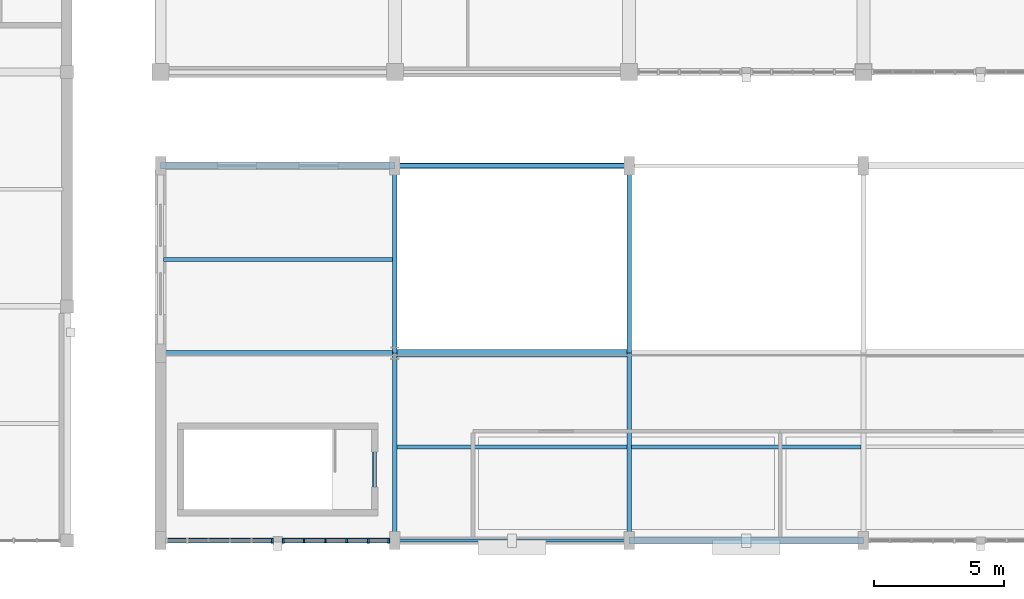
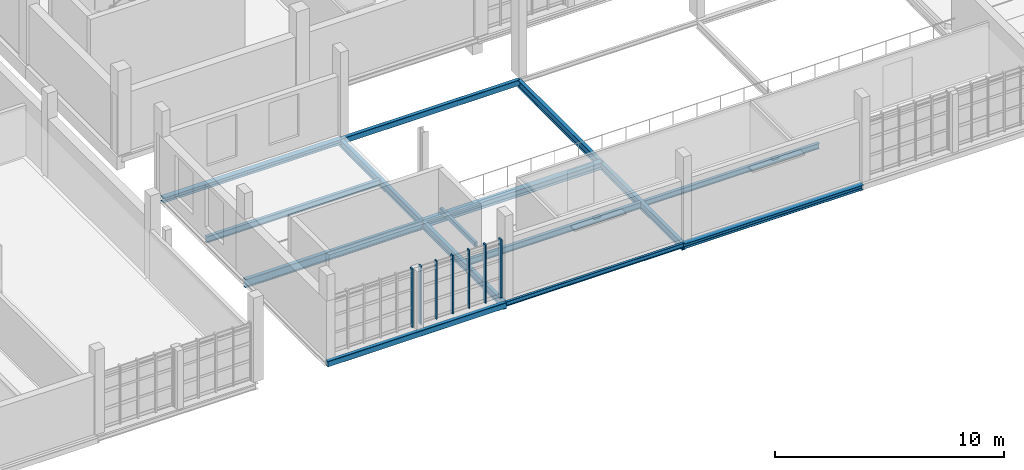
# One storey, part 17 of 125: 15 beams, 7 members, 2 elements without a shape of their own.
"""IFC4 building model written with IfcOpenShell, lengths in metres."""

from ifc_helpers import new_model, si_unit, direction, frame, origin, origin_2d, place, context, subcontext, project, spatial, rectangle, hollow_rectangle, i_section, extrude, material, material_profile, profile_set, type_object, element, aggregate, save


model = new_model("IFC4")

# Units and contexts
model_context = context("Model", 3, precision=1e-05, world=origin(), true_north=direction((0.0, 1.0)))
body_context = subcontext(model_context, "Body", "Model", "MODEL_VIEW")
ifc_project = project(units=[si_unit("LENGTHUNIT", "METRE"), si_unit("AREAUNIT", "SQUARE_METRE"), si_unit("VOLUMEUNIT", "CUBIC_METRE"), si_unit("PLANEANGLEUNIT", "RADIAN"), si_unit("MASSUNIT", "GRAM", prefix="KILO")], contexts=[model_context])

# Site, building, storey
site_placement = place(None, origin())
site = spatial("IfcSite", under=ifc_project, at=site_placement, CompositionType="ELEMENT")
building_placement = place(site_placement, origin())
building = spatial("IfcBuilding", under=site, at=building_placement, Name="Serraforn Aerial Cableway Station", CompositionType="ELEMENT")
storey_placement = place(building_placement, frame((0.0, 0.0, 4.5)))
storey = spatial("IfcBuildingStorey", under=building, at=storey_placement, Name="L01", CompositionType="ELEMENT", Elevation=4.5)

# Beams
ifc_material_1 = material(Name="Steel S355J2", Category="steel")
ifc_material_profile_1 = material_profile(ifc_material_1, i_section(OverallWidth=0.260009765625, OverallDepth=0.260009765625, WebThickness=0.010009765625, FlangeThickness=0.017578125, FilletRadius=0.02392578125, at=origin_2d()), Name="HEB 260")
ifc_profile_set_1 = profile_set([ifc_material_profile_1], Name="Steel S355J2")
beam_type_1 = type_object("IfcBeamType", Name="BM-ST-HEB260", PredefinedType="BEAM", material=ifc_profile_set_1)
for number, where, z_axis, x_axis, name in (
    (1, (45.60009765625, 0.0, -0.449951171875), (1.0, 0.0, 0.0), (0.0, 1.0, 0.0), "Grid Girder X CF L01 Y1-3"),
    (2, (27.60009765625, 14.39990234375, -0.449951171875), (1.0, 0.0, 0.0), (0.0, 1.0, 0.0), "Grid Girder X CF L01 Y3-1"),
):
    element("IfcBeam", number, at=place(storey_placement, frame(where, z_axis=z_axis, x_axis=x_axis)), inside=storey, type_object=beam_type_1, Name=name, PredefinedType="BEAM", context=body_context, shape_type="SweptSolid", body=[
        extrude(i_section(OverallWidth=0.260009765625, OverallDepth=0.260009765625, WebThickness=0.010009765625, FlangeThickness=0.017578125, FilletRadius=0.02392578125, at=origin_2d()), origin(), (0.0, 0.0, 1.0), 9.0),
    ])
ifc_material_profile_2 = material_profile(ifc_material_1, i_section(OverallWidth=0.300048828125, OverallDepth=0.360107421875, WebThickness=0.012451171875, FlangeThickness=0.0224609375, FilletRadius=0.027099609375, at=origin_2d()), Name="HEB 360")
ifc_profile_set_2 = profile_set([ifc_material_profile_2], Name="Steel S355J2")
beam_type_2 = type_object("IfcBeamType", Name="BM-ST-HEB360", PredefinedType="USERDEFINED", material=ifc_profile_set_2)
beam_1_placement = place(storey_placement, frame((36.60009765625, 7.199951171875, -0.5), z_axis=(1.0, 0.0, 0.0), x_axis=(0.0, 1.0, 0.0)))
element("IfcBeam", 3, at=beam_1_placement, inside=storey, type_object=beam_type_2, Name="Grid Girder X CF L01 Y2-2", ObjectType="GIRDER", PredefinedType="USERDEFINED", context=body_context, shape_type="SweptSolid", body=[
    extrude(i_section(OverallWidth=0.300048828125, OverallDepth=0.360107421875, WebThickness=0.012451171875, FlangeThickness=0.0224609375, FilletRadius=0.027099609375, at=origin_2d()), origin(), (0.0, 0.0, 1.0), 9.0),
])
ifc_material_2 = material(Name="Steel S355JR", Category="steel")
ifc_material_profile_3 = material_profile(ifc_material_2, i_section(OverallWidth=0.1201171875, OverallDepth=0.239990234375, WebThickness=0.006103515625, FlangeThickness=0.009765625, FilletRadius=0.014892578125, at=origin_2d()), Name="IPE 240")
ifc_profile_set_3 = profile_set([ifc_material_profile_3], Name="Steel S355JR")
beam_type_3 = type_object("IfcBeamType", Name="BM-ST-IPE240", PredefinedType="SPANDREL", material=ifc_profile_set_3)
beam_2_placement = place(storey_placement, frame((36.60009765625, 0.0, -0.43994140625), z_axis=(1.0, 0.0, 0.0), x_axis=(0.0, 1.0, 0.0)))
element("IfcBeam", 4, at=beam_2_placement, inside=storey, type_object=beam_type_3, Name="Grid Girder X CF L01 Y1-2", PredefinedType="SPANDREL", context=body_context, shape_type="SweptSolid", body=[
    extrude(i_section(OverallWidth=0.1201171875, OverallDepth=0.239990234375, WebThickness=0.006103515625, FlangeThickness=0.009765625, FilletRadius=0.014892578125, at=origin_2d()), origin(), (0.0, 0.0, 1.0), 9.0),
])
ifc_material_profile_4 = material_profile(ifc_material_2, i_section(OverallWidth=0.14990234375, OverallDepth=0.300048828125, WebThickness=0.007080078125, FlangeThickness=0.0107421875, FilletRadius=0.014892578125, at=origin_2d()), Name="IPE 300")
ifc_profile_set_4 = profile_set([ifc_material_profile_4], Name="Steel S355JR")
beam_type_4 = type_object("IfcBeamType", Name="BM-ST-IPE300", PredefinedType="JOIST", material=ifc_profile_set_4)
beam_3_placement = place(storey_placement, frame((45.68994140625, 3.60009765625, -0.425048828125), z_axis=(1.0, 0.0, 0.0), x_axis=(0.0, 1.0, 0.0)))
element("IfcBeam", 5, at=beam_3_placement, inside=storey, type_object=beam_type_4, Name="Floor Joist CF-L01-3-1-1", PredefinedType="JOIST", context=body_context, shape_type="SweptSolid", body=[
    extrude(i_section(OverallWidth=0.14990234375, OverallDepth=0.300048828125, WebThickness=0.007080078125, FlangeThickness=0.0107421875, FilletRadius=0.014892578125, at=origin_2d()), origin(), (0.0, 0.0, 1.0), 8.820068359375),
])
ifc_material_profile_5 = material_profile(ifc_material_2, i_section(OverallWidth=0.159912109375, OverallDepth=0.330078125, WebThickness=0.007568359375, FlangeThickness=0.011474609375, FilletRadius=0.01806640625, at=origin_2d()), Name="IPE 330")
ifc_profile_set_5 = profile_set([ifc_material_profile_5], Name="Steel S355JR")
beam_type_5 = type_object("IfcBeamType", Name="BM-ST-IPE330", PredefinedType="JOIST", material=ifc_profile_set_5)
beam_4_placement = place(storey_placement, frame((27.719970703125, 10.800048828125, -0.43994140625), z_axis=(1.0, 0.0, 0.0), x_axis=(0.0, 1.0, 0.0)))
element("IfcBeam", 6, at=beam_4_placement, inside=storey, type_object=beam_type_5, Name="Floor Joist CF-L01-1-2-1", PredefinedType="JOIST", context=body_context, shape_type="SweptSolid", body=[
    extrude(i_section(OverallWidth=0.159912109375, OverallDepth=0.330078125, WebThickness=0.007568359375, FlangeThickness=0.011474609375, FilletRadius=0.01806640625, at=origin_2d()), origin(), (0.0, 0.0, 1.0), 8.7900390625),
])
beam_5_placement = place(storey_placement, frame((36.68994140625, 3.60009765625, -0.43994140625), z_axis=(1.0, 0.0, 0.0), x_axis=(0.0, 1.0, 0.0)))
element("IfcBeam", 7, at=beam_5_placement, inside=storey, type_object=beam_type_5, Name="Floor Joist CF-L01-2-1-1", PredefinedType="JOIST", context=body_context, shape_type="SweptSolid", body=[
    extrude(i_section(OverallWidth=0.159912109375, OverallDepth=0.330078125, WebThickness=0.007568359375, FlangeThickness=0.011474609375, FilletRadius=0.01806640625, at=origin_2d()), origin(), (0.0, 0.0, 1.0), 8.820068359375),
])
ifc_material_profile_6 = material_profile(ifc_material_2, i_section(OverallWidth=0.179931640625, OverallDepth=0.39990234375, WebThickness=0.008544921875, FlangeThickness=0.013427734375, FilletRadius=0.02099609375, at=origin_2d()), Name="IPE 400")
ifc_profile_set_6 = profile_set([ifc_material_profile_6], Name="Steel S355JR")
beam_type_6 = type_object("IfcBeamType", Name="BM-ST-IPE400", PredefinedType="BEAM", material=ifc_profile_set_6)
for number, where, z_axis, x_axis, name in (
    (8, (36.60009765625, 0.0, -0.52001953125), (0.0, 1.0, 0.0), (-1.0, 0.0, 0.0), "Grid Girder Y CF L01 X2-1"),
    (9, (36.60009765625, 7.199951171875, -0.52001953125), (0.0, 1.0, 0.0), (-1.0, 0.0, 0.0), "Grid Girder Y CF L01 X2-2"),
    (10, (45.60009765625, 0.0, -0.52001953125), (0.0, 1.0, 0.0), (-1.0, 0.0, 0.0), "Grid Girder Y CF L01 X3-1"),
    (11, (45.60009765625, 7.199951171875, -0.52001953125), (0.0, 1.0, 0.0), (-1.0, 0.0, 0.0), "Grid Girder Y CF L01 X3-2"),
):
    element("IfcBeam", number, at=place(storey_placement, frame(where, z_axis=z_axis, x_axis=x_axis)), inside=storey, type_object=beam_type_6, Name=name, PredefinedType="BEAM", context=body_context, shape_type="SweptSolid", body=[
        extrude(i_section(OverallWidth=0.179931640625, OverallDepth=0.39990234375, WebThickness=0.008544921875, FlangeThickness=0.013427734375, FilletRadius=0.02099609375, at=origin_2d()), origin(), (0.0, 0.0, 1.0), 7.199951171875),
    ])
ifc_material_profile_7 = material_profile(ifc_material_2, i_section(OverallWidth=0.18994140625, OverallDepth=0.449951171875, WebThickness=0.009521484375, FlangeThickness=0.0146484375, FilletRadius=0.02099609375, at=origin_2d()), Name="IPE 450")
ifc_profile_set_7 = profile_set([ifc_material_profile_7], Name="Steel S355JR")
beam_type_7 = type_object("IfcBeamType", Name="BM-ST-IPE450", PredefinedType="BEAM", material=ifc_profile_set_7)
beam_6_placement = place(storey_placement, frame((27.60009765625, 7.199951171875, -0.544921875), z_axis=(1.0, 0.0, 0.0), x_axis=(0.0, 1.0, 0.0)))
element("IfcBeam", 12, at=beam_6_placement, inside=storey, type_object=beam_type_7, Name="Grid Girder X CF L01 Y2-1", PredefinedType="BEAM", context=body_context, shape_type="SweptSolid", body=[
    extrude(i_section(OverallWidth=0.18994140625, OverallDepth=0.449951171875, WebThickness=0.009521484375, FlangeThickness=0.0146484375, FilletRadius=0.02099609375, at=origin_2d()), origin(), (0.0, 0.0, 1.0), 9.0),
])
ifc_material_profile_8 = material_profile(ifc_material_1, hollow_rectangle(XDim=0.14990234375, YDim=0.25, WallThickness=0.010009765625, InnerFilletRadius=0.010009765625, OuterFilletRadius=0.02001953125, at=origin_2d()), Name="RHS 250x150x10.0")
ifc_profile_set_8 = profile_set([ifc_material_profile_8], Name="Steel S355J2")
beam_type_8 = type_object("IfcBeamType", Name="BM-ST-RHS250", PredefinedType="LINTEL", material=ifc_profile_set_8)
beam_7_placement = place(storey_placement, frame((35.824951171875, 4.260009765625, 2.27490234375), z_axis=(0.0, -1.0, 0.0), x_axis=(1.0, 0.0, 0.0)))
element("IfcBeam", 13, at=beam_7_placement, inside=storey, type_object=beam_type_8, Name="Stair Core Door Lintel D-S30", PredefinedType="LINTEL", context=body_context, shape_type="SweptSolid", body=[
    extrude(hollow_rectangle(XDim=0.14990234375, YDim=0.25, WallThickness=0.010009765625, InnerFilletRadius=0.010009765625, OuterFilletRadius=0.02001953125, at=origin_2d()), origin(), (0.0, 0.0, 1.0), 3.06005859375),
])
ifc_material_profile_9 = material_profile(ifc_material_1, hollow_rectangle(XDim=0.199951171875, YDim=0.300048828125, WallThickness=0.012451171875, InnerFilletRadius=0.012451171875, OuterFilletRadius=0.02490234375, at=origin_2d()), Name="RHS 300x200x12.5")
ifc_profile_set_9 = profile_set([ifc_material_profile_9], Name="Steel S355J2")
beam_type_9 = type_object("IfcBeamType", Name="BM-ST-RHS300", PredefinedType="SPANDREL", material=ifc_profile_set_9)
for number, where, z_axis, x_axis, name in (
    (14, (27.60009765625, 0.0, -0.469970703125), (1.0, 0.0, 0.0), (0.0, 1.0, 0.0), "Grid Girder X CF L01 Y1-1"),
    (15, (36.60009765625, 14.39990234375, -0.469970703125), (1.0, 0.0, 0.0), (0.0, 1.0, 0.0), "Grid Girder X CF L01 Y3-2"),
):
    element("IfcBeam", number, at=place(storey_placement, frame(where, z_axis=z_axis, x_axis=x_axis)), inside=storey, type_object=beam_type_9, Name=name, PredefinedType="SPANDREL", context=body_context, shape_type="SweptSolid", body=[
        extrude(hollow_rectangle(XDim=0.199951171875, YDim=0.300048828125, WallThickness=0.012451171875, InnerFilletRadius=0.012451171875, OuterFilletRadius=0.02490234375, at=origin_2d()), origin(), (0.0, 0.0, 1.0), 9.0),
    ])

# Curtain wall, members
ifc_material_3 = material(Name="Anodised bronze unitised curtain wall")
curtain_wall_type_1 = type_object("IfcCurtainWallType", Name="CW-SYS-26", PredefinedType="USERDEFINED", material=ifc_material_3)
curtain_wall_1_placement = place(storey_placement, origin())
curtain_wall_1 = element("IfcCurtainWall", 16, at=curtain_wall_1_placement, inside=storey, type_object=curtain_wall_type_1, Name="Unitised Curtain Wall CW-CF-L01-S1B", ObjectType="UNITISED CURTAIN WALL", PredefinedType="USERDEFINED")
ifc_material_4 = material(Name="Anodised bronze extruded aluminium", Category="aluminium")
ifc_material_profile_10 = material_profile(ifc_material_4, rectangle(XDim=0.054931640625, YDim=0.139892578125, at=origin_2d()), Name="CW MULLION 55x140")
ifc_profile_set_10 = profile_set([ifc_material_profile_10], Name="Anodised bronze extruded aluminium")
member_type_1 = type_object("IfcMemberType", Name="CW-MUL-1", PredefinedType="MULLION", material=ifc_profile_set_10)
member_1_placement = place(storey_placement, frame((33.1044921875, 0.0, 0.0), z_axis=(0.0, 0.0, 1.0), x_axis=(1.0, 0.0, 0.0)))
member_1 = element("IfcMember", 17, at=member_1_placement, type_object=member_type_1, Name="Curtain Wall Mullion CW-CF-L01-S1B-M2", PredefinedType="MULLION", context=body_context, shape_type="SweptSolid", body=[
    extrude(rectangle(XDim=0.054931640625, YDim=0.139892578125, at=origin_2d()), origin(), (0.0, 0.0, 1.0), 3.1201171875),
])
ifc_material_profile_11 = material_profile(ifc_material_4, rectangle(XDim=0.06005859375, YDim=0.159912109375, at=origin_2d()), Name="CW MULLION 60x160")
ifc_profile_set_11 = profile_set([ifc_material_profile_11], Name="Anodised bronze extruded aluminium")
member_type_2 = type_object("IfcMemberType", Name="CW-MUL-2", PredefinedType="MULLION", material=ifc_profile_set_11)
member_2_placement = place(storey_placement, frame((33.9287109375, 0.0, 0.0), z_axis=(0.0, 0.0, 1.0), x_axis=(1.0, 0.0, 0.0)))
member_2 = element("IfcMember", 18, at=member_2_placement, type_object=member_type_2, Name="Curtain Wall Mullion CW-CF-L01-S1B-M3", PredefinedType="MULLION", context=body_context, shape_type="SweptSolid", body=[
    extrude(rectangle(XDim=0.06005859375, YDim=0.159912109375, at=origin_2d()), origin(), (0.0, 0.0, 1.0), 3.1201171875),
])
ifc_material_profile_12 = material_profile(ifc_material_4, rectangle(XDim=0.06494140625, YDim=0.175048828125, at=origin_2d()), Name="CW MULLION 65x175")
ifc_profile_set_12 = profile_set([ifc_material_profile_12], Name="Anodised bronze extruded aluminium")
member_type_3 = type_object("IfcMemberType", Name="CW-MUL-3", PredefinedType="MULLION", material=ifc_profile_set_12)
member_3_placement = place(storey_placement, frame((34.753173828125, 0.0, 0.0), z_axis=(0.0, 0.0, 1.0), x_axis=(1.0, 0.0, 0.0)))
member_3 = element("IfcMember", 19, at=member_3_placement, type_object=member_type_3, Name="Curtain Wall Mullion CW-CF-L01-S1B-M4", PredefinedType="MULLION", context=body_context, shape_type="SweptSolid", body=[
    extrude(rectangle(XDim=0.06494140625, YDim=0.175048828125, at=origin_2d()), origin(), (0.0, 0.0, 1.0), 3.1201171875),
])

# Curtain wall, member
curtain_wall_type_2 = type_object("IfcCurtainWallType", Name="CW-SYS-25", PredefinedType="USERDEFINED", material=ifc_material_3)
curtain_wall_2_placement = place(storey_placement, origin())
curtain_wall_2 = element("IfcCurtainWall", 20, at=curtain_wall_2_placement, inside=storey, type_object=curtain_wall_type_2, Name="Unitised Curtain Wall CW-CF-L01-S1A", ObjectType="UNITISED CURTAIN WALL", PredefinedType="USERDEFINED")
ifc_material_profile_13 = material_profile(ifc_material_4, rectangle(XDim=0.070068359375, YDim=0.18994140625, at=origin_2d()), Name="CW MULLION 70x190")
ifc_profile_set_13 = profile_set([ifc_material_profile_13], Name="Anodised bronze extruded aluminium")
member_type_4 = type_object("IfcMemberType", Name="CW-MUL-4", PredefinedType="MULLION", material=ifc_profile_set_13)
member_4_placement = place(storey_placement, frame((31.885009765625, 0.0, 0.0), z_axis=(0.0, 0.0, 1.0), x_axis=(1.0, 0.0, 0.0)))
member_4 = element("IfcMember", 21, at=member_4_placement, type_object=member_type_4, Name="Curtain Wall Mullion CW-CF-L01-S1A-M6", PredefinedType="MULLION", context=body_context, shape_type="SweptSolid", body=[
    extrude(rectangle(XDim=0.070068359375, YDim=0.18994140625, at=origin_2d()), origin(), (0.0, 0.0, 1.0), 3.1201171875),
])
aggregate(curtain_wall_2, [member_4])

# Member
member_5_placement = place(storey_placement, frame((35.57763671875, 0.0, 0.0), z_axis=(0.0, 0.0, 1.0), x_axis=(1.0, 0.0, 0.0)))
member_5 = element("IfcMember", 22, at=member_5_placement, type_object=member_type_4, Name="Curtain Wall Mullion CW-CF-L01-S1B-M5", PredefinedType="MULLION", context=body_context, shape_type="SweptSolid", body=[
    extrude(rectangle(XDim=0.070068359375, YDim=0.18994140625, at=origin_2d()), origin(), (0.0, 0.0, 1.0), 3.1201171875),
])

ifc_material_profile_14 = material_profile(ifc_material_4, rectangle(XDim=0.074951171875, YDim=0.199951171875, at=origin_2d()), Name="CW MULLION 75x200")
ifc_profile_set_14 = profile_set([ifc_material_profile_14], Name="Anodised bronze extruded aluminium")
member_type_5 = type_object("IfcMemberType", Name="CW-MUL-5", PredefinedType="MULLION", material=ifc_profile_set_14)
member_6_placement = place(storey_placement, frame((32.3173828125, 0.0, 0.0), z_axis=(0.0, 0.0, 1.0), x_axis=(1.0, 0.0, 0.0)))
member_6 = element("IfcMember", 23, at=member_6_placement, type_object=member_type_5, Name="Curtain Wall Mullion CW-CF-L01-S1B-M1", PredefinedType="MULLION", context=body_context, shape_type="SweptSolid", body=[
    extrude(rectangle(XDim=0.074951171875, YDim=0.199951171875, at=origin_2d()), origin(), (0.0, 0.0, 1.0), 3.1201171875),
])

member_7_placement = place(storey_placement, frame((36.364501953125, 0.0, 0.0), z_axis=(0.0, 0.0, 1.0), x_axis=(1.0, 0.0, 0.0)))
member_7 = element("IfcMember", 24, at=member_7_placement, type_object=member_type_5, Name="Curtain Wall Mullion CW-CF-L01-S1B-M6", PredefinedType="MULLION", context=body_context, shape_type="SweptSolid", body=[
    extrude(rectangle(XDim=0.074951171875, YDim=0.199951171875, at=origin_2d()), origin(), (0.0, 0.0, 1.0), 3.1201171875),
])

aggregate(curtain_wall_1, [member_6, member_1, member_2, member_3, member_5, member_7])

save(model, "model.ifc")
